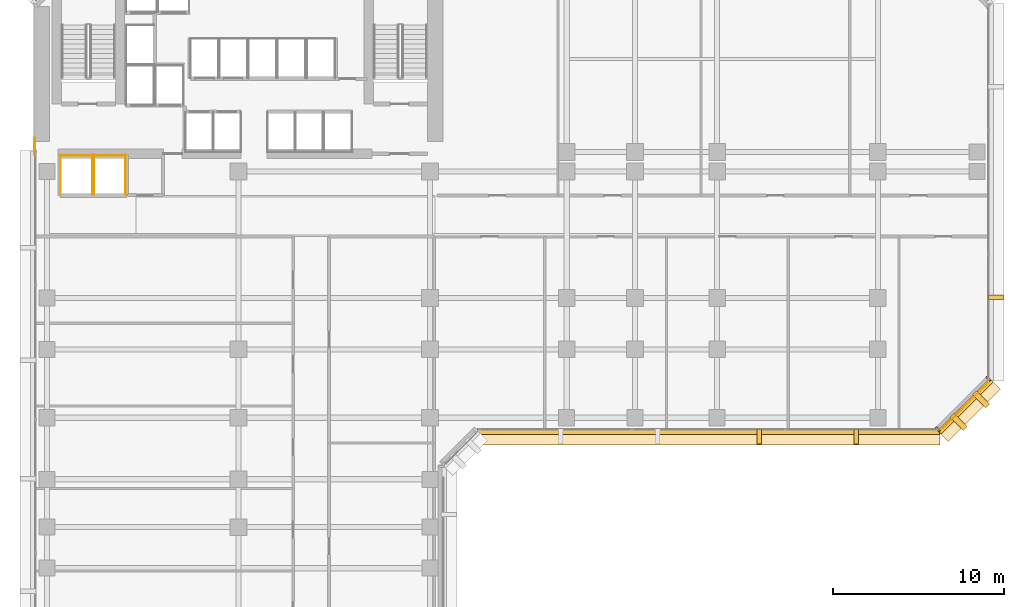
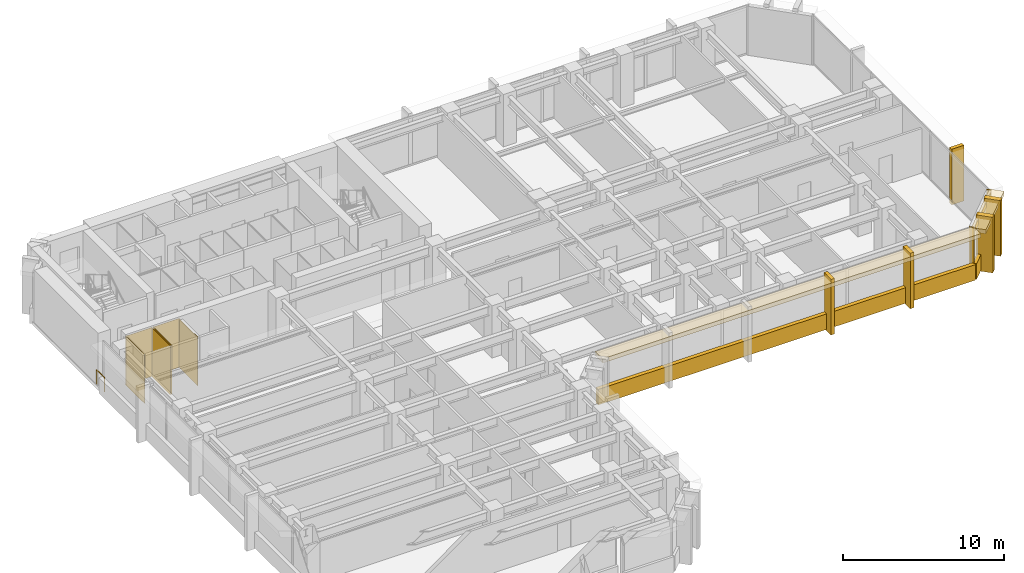
# One storey, part 11 of 14: 18 coverings, 1 railing.
"""IFC4 building model written with IfcOpenShell, lengths in metres."""

from ifc_helpers import new_model, si_unit, direction, frame, origin, origin_2d, place, context, subcontext, project, spatial, polyline, rectangle, circle, outline, extrude, material, layer, layer_set, type_object, element, save


model = new_model("IFC4")

# Units and contexts
model_context = context("Model", 3, precision=1e-05, world=origin(), true_north=direction((0.0, 1.0)))
body_context = subcontext(model_context, "Body", "Model", "MODEL_VIEW")
ifc_project = project(units=[si_unit("LENGTHUNIT", "METRE"), si_unit("AREAUNIT", "SQUARE_METRE"), si_unit("VOLUMEUNIT", "CUBIC_METRE"), si_unit("PLANEANGLEUNIT", "RADIAN"), si_unit("MASSUNIT", "GRAM", prefix="KILO")], contexts=[model_context])

# Site, building, storey
site_placement = place(None, origin())
site = spatial("IfcSite", under=ifc_project, at=site_placement, CompositionType="ELEMENT")
building_placement = place(site_placement, origin())
building = spatial("IfcBuilding", under=site, at=building_placement, Name="Kefirva Bronze Tower", CompositionType="ELEMENT")
storey_placement = place(building_placement, frame((0.0, 0.0, 66.0)))
storey = spatial("IfcBuildingStorey", under=building, at=storey_placement, Name="L15", CompositionType="ELEMENT", Elevation=66.0)

# Coverings
ifc_material_1 = material(Name="Bronze anodised aluminium", Category="aluminium")
ifc_layer_1 = layer(ifc_material_1, 0.02001953125, Name="Bronze anodised aluminium")
ifc_layer_set_1 = layer_set([ifc_layer_1], Name="Bronze anodised aluminium")
covering_type_1 = type_object("IfcCoveringType", Name="Anodised Bronze Spandrel Cladding 20mm", PredefinedType="CLADDING", material=ifc_layer_set_1)
covering_1_placement = place(storey_placement, frame((39.5, 17.9599609375, -0.16015625), z_axis=(0.0, 0.0, 1.0), x_axis=(1.0, 0.0, 0.0)))
element("IfcCovering", 1, at=covering_1_placement, inside=storey, type_object=covering_type_1, Name="L15 Streamline Horizontal Spandrel Band 8", PredefinedType="CLADDING", context=body_context, shape_type="SweptSolid", body=[
    extrude(rectangle(XDim=27.0400390625, YDim=0.280029296875, at=origin_2d()), origin(), (0.0, 0.0, 1.0), 1.179931640625),
])
covering_2_placement = place(storey_placement, frame((54.507080078125, 19.492919921875, 3.2900390625), z_axis=(0.0, 0.0, 1.0), x_axis=(0.707106781187, 0.707106781187, 0.0)))
element("IfcCovering", 2, at=covering_2_placement, inside=storey, type_object=covering_type_1, Name="L15 Bronze Spandrel Cladding 7", PredefinedType="CLADDING", context=body_context, shape_type="SweptSolid", body=[
    extrude(rectangle(XDim=3.719482421875, YDim=0.02001953125, at=origin_2d()), origin(), (0.0, 0.0, 1.0), 0.39990234375),
])
for number, where, z_axis, x_axis, name in (
    (3, (52.91162109375, 18.137939453125, 0.0), (0.0, 0.0, 1.0), (0.707106781187, 0.707106781187, 0.0), "L15 Facade Joint Closure Panel 7S"),
    (4, (55.862060546875, 21.08837890625, 0.0), (0.0, 0.0, 1.0), (0.707106781187, 0.707106781187, 0.0), "L15 Facade Joint Closure Panel 7E"),
):
    element("IfcCovering", number, at=place(storey_placement, frame(where, z_axis=z_axis, x_axis=x_axis)), inside=storey, type_object=covering_type_1, Name=name, PredefinedType="CLADDING", context=body_context, shape_type="SweptSolid", body=[
        extrude(rectangle(XDim=0.10009765625, YDim=0.320068359375, at=origin_2d()), origin(), (0.0, 0.0, 1.0), 3.7099609375),
    ])
covering_3_placement = place(storey_placement, frame((54.5283203125, 19.4716796875, -0.16015625), z_axis=(0.0, 0.0, 1.0), x_axis=(0.707106781187, 0.707106781187, 0.0)))
element("IfcCovering", 5, at=covering_3_placement, inside=storey, type_object=covering_type_1, Name="L15 Streamline Horizontal Spandrel Band 9", PredefinedType="CLADDING", context=body_context, shape_type="SweptSolid", body=[
    extrude(rectangle(XDim=4.28271484375, YDim=0.280029296875, at=origin_2d()), origin(), (0.0, 0.0, 1.0), 1.179931640625),
])
covering_4_placement = place(storey_placement, origin())
element("IfcCovering", 6, at=covering_4_placement, inside=storey, type_object=covering_type_1, Name="L15 Lift OB1 Hoistway Liner N", PredefinedType="CLADDING", context=body_context, shape_type="SweptSolid", body=[
    extrude(outline(polyline([(1.580078125, 34.139892578125), (3.469970703125, 34.139892578125), (3.469970703125, 34.159912109375), (1.580078125, 34.159912109375), (1.580078125, 34.139892578125)])), origin(), (0.0, 0.0, 1.0), 3.7099609375),
])
covering_5_placement = place(storey_placement, origin())
element("IfcCovering", 7, at=covering_5_placement, inside=storey, type_object=covering_type_1, Name="L15 Lift OB1 Hoistway Liner W", PredefinedType="CLADDING", context=body_context, shape_type="SweptSolid", body=[
    extrude(outline(polyline([(1.590087890625, 31.830078125), (1.610107421875, 31.830078125), (1.610107421875, 34.169921875), (1.590087890625, 34.169921875), (1.590087890625, 31.830078125)])), origin(), (0.0, 0.0, 1.0), 3.7099609375),
])
covering_6_placement = place(storey_placement, origin())
element("IfcCovering", 8, at=covering_6_placement, inside=storey, type_object=covering_type_1, Name="L15 Lift OB1 Hoistway Liner E", PredefinedType="CLADDING", context=body_context, shape_type="SweptSolid", body=[
    extrude(outline(polyline([(3.43994140625, 31.830078125), (3.4599609375, 31.830078125), (3.4599609375, 34.169921875), (3.43994140625, 34.169921875), (3.43994140625, 31.830078125)])), origin(), (0.0, 0.0, 1.0), 3.7099609375),
])
covering_7_placement = place(storey_placement, origin())
element("IfcCovering", 9, at=covering_7_placement, inside=storey, type_object=covering_type_1, Name="L15 Lift OB2 Hoistway Liner N", PredefinedType="CLADDING", context=body_context, shape_type="SweptSolid", body=[
    extrude(outline(polyline([(3.530029296875, 34.139892578125), (5.419921875, 34.139892578125), (5.419921875, 34.159912109375), (3.530029296875, 34.159912109375), (3.530029296875, 34.139892578125)])), origin(), (0.0, 0.0, 1.0), 3.7099609375),
])
covering_8_placement = place(storey_placement, origin())
element("IfcCovering", 10, at=covering_8_placement, inside=storey, type_object=covering_type_1, Name="L15 Lift OB2 Hoistway Liner W", PredefinedType="CLADDING", context=body_context, shape_type="SweptSolid", body=[
    extrude(outline(polyline([(3.5400390625, 31.830078125), (3.56005859375, 31.830078125), (3.56005859375, 34.169921875), (3.5400390625, 34.169921875), (3.5400390625, 31.830078125)])), origin(), (0.0, 0.0, 1.0), 3.7099609375),
])
covering_9_placement = place(storey_placement, origin())
element("IfcCovering", 11, at=covering_9_placement, inside=storey, type_object=covering_type_1, Name="L15 Lift OB2 Hoistway Liner E", PredefinedType="CLADDING", context=body_context, shape_type="SweptSolid", body=[
    extrude(outline(polyline([(5.389892578125, 31.830078125), (5.409912109375, 31.830078125), (5.409912109375, 34.169921875), (5.389892578125, 34.169921875), (5.389892578125, 31.830078125)])), origin(), (0.0, 0.0, 1.0), 3.7099609375),
])

# Railing
ifc_material_2 = material(Name="Stainless steel 316", Category="steel")
railing_type = type_object("IfcRailingType", Name="Interior Stair Guardrail 1100mm", PredefinedType="GUARDRAIL", material=ifc_material_2)
railing_placement = place(storey_placement, frame((0.080078125, 34.199951171875, 0.0)))
element("IfcRailing", 12, at=railing_placement, inside=storey, type_object=railing_type, Name="L15 West Core Junction Guardrail", PredefinedType="GUARDRAIL", context=body_context, shape_type="SweptSolid", body=[
    extrude(circle(Radius=0.02392578125, at=origin_2d()), frame((0.0, 0.0, 1.076171875), z_axis=(0.0, 1.0, 0.0), x_axis=(-1.0, 0.0, 0.0)), (0.0, 0.0, 1.0), 0.949951171875),
    extrude(circle(Radius=0.02099609375, at=origin_2d()), origin(), (0.0, 0.0, 1.0), 1.052001953125),
    extrude(circle(Radius=0.02099609375, at=origin_2d()), frame((0.0, 0.949951171875, 0.0)), (0.0, 0.0, 1.0), 1.052001953125),
])

# Coverings
ifc_layer_2 = layer(ifc_material_1, 0.179931640625, Name="Bronze anodised aluminium")
ifc_layer_set_2 = layer_set([ifc_layer_2], Name="Bronze anodised aluminium")
covering_type_2 = type_object("IfcCoveringType", Name="Streamline Bronze Sunshade Eyebrow Cladding 180mm", PredefinedType="CLADDING", material=ifc_layer_set_2)
covering_10_placement = place(storey_placement, frame((39.5, 17.68994140625, 3.39013671875), z_axis=(0.0, 0.0, 1.0), x_axis=(1.0, 0.0, 0.0)))
element("IfcCovering", 13, at=covering_10_placement, inside=storey, type_object=covering_type_2, Name="L15 Streamline Bronze Sunshade Eyebrow 8", PredefinedType="CLADDING", context=body_context, shape_type="SweptSolid", body=[
    extrude(rectangle(XDim=27.080078125, YDim=0.93994140625, at=origin_2d()), origin(), (0.0, 0.0, 1.0), 0.320068359375),
])
covering_11_placement = place(storey_placement, frame((54.71923828125, 19.28076171875, 3.39013671875), z_axis=(0.0, 0.0, 1.0), x_axis=(0.707106781187, 0.707106781187, 0.0)))
element("IfcCovering", 14, at=covering_11_placement, inside=storey, type_object=covering_type_2, Name="L15 Streamline Bronze Sunshade Eyebrow 9", PredefinedType="CLADDING", context=body_context, shape_type="SweptSolid", body=[
    extrude(rectangle(XDim=4.322509765625, YDim=0.93994140625, at=origin_2d()), origin(), (0.0, 0.0, 1.0), 0.320068359375),
])
ifc_layer_3 = layer(ifc_material_1, 0.260009765625, Name="Bronze anodised aluminium")
ifc_layer_set_3 = layer_set([ifc_layer_3], Name="Bronze anodised aluminium")
covering_type_3 = type_object("IfcCoveringType", Name="Unbroken Bronze Buttress Fin Cladding 260mm", PredefinedType="CLADDING", material=ifc_layer_set_3)
for number, where, z_axis, x_axis, name in (
    (15, (42.469970703125, 17.699951171875, -0.25), (0.0, 0.0, 1.0), (1.0, 0.0, 0.0), "L15 Unbroken Vertical Bronze Rib Fin 11"),
    (16, (48.139892578125, 17.699951171875, -0.25), (0.0, 0.0, 1.0), (1.0, 0.0, 0.0), "L15 Unbroken Vertical Bronze Rib Fin 12"),
):
    element("IfcCovering", number, at=place(storey_placement, frame(where, z_axis=z_axis, x_axis=x_axis)), inside=storey, type_object=covering_type_3, Name=name, PredefinedType="CLADDING", context=body_context, shape_type="SweptSolid", body=[
        extrude(rectangle(XDim=0.260009765625, YDim=0.8798828125, at=origin_2d()), origin(), (0.0, 0.0, 1.0), 4.2099609375),
    ])
for number, where, z_axis, x_axis, name in (
    (17, (54.122802734375, 18.55712890625, -0.25), (0.0, 0.0, 1.0), (0.707106781187, 0.707106781187, 0.0), "L15 Chamfered Corner Buttress Fin Cladding 13"),
    (18, (55.44287109375, 19.877197265625, -0.25), (0.0, 0.0, 1.0), (0.707106781187, 0.707106781187, 0.0), "L15 Chamfered Corner Buttress Fin Cladding 14"),
):
    element("IfcCovering", number, at=place(storey_placement, frame(where, z_axis=z_axis, x_axis=x_axis)), inside=storey, type_object=covering_type_3, Name=name, PredefinedType="CLADDING", context=body_context, shape_type="SweptSolid", body=[
        extrude(rectangle(XDim=0.340087890625, YDim=1.080078125, at=origin_2d()), origin(), (0.0, 0.0, 1.0), 4.2099609375),
    ])
covering_12_placement = place(storey_placement, frame((56.300048828125, 25.840087890625, -0.25), z_axis=(0.0, 0.0, 1.0), x_axis=(0.0, 1.0, 0.0)))
element("IfcCovering", 19, at=covering_12_placement, inside=storey, type_object=covering_type_3, Name="L15 Unbroken Vertical Bronze Rib Fin 15", PredefinedType="CLADDING", context=body_context, shape_type="SweptSolid", body=[
    extrude(rectangle(XDim=0.260009765625, YDim=0.8798828125, at=origin_2d()), origin(), (0.0, 0.0, 1.0), 4.2099609375),
])

save(model, "model.ifc")
